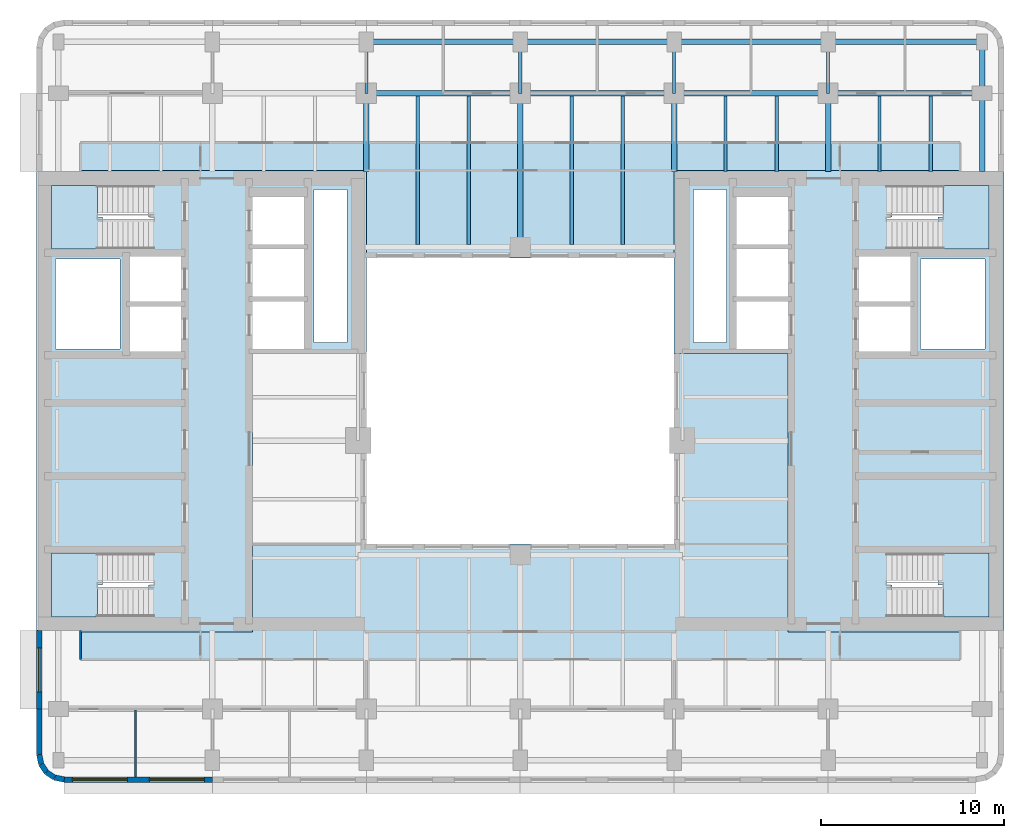
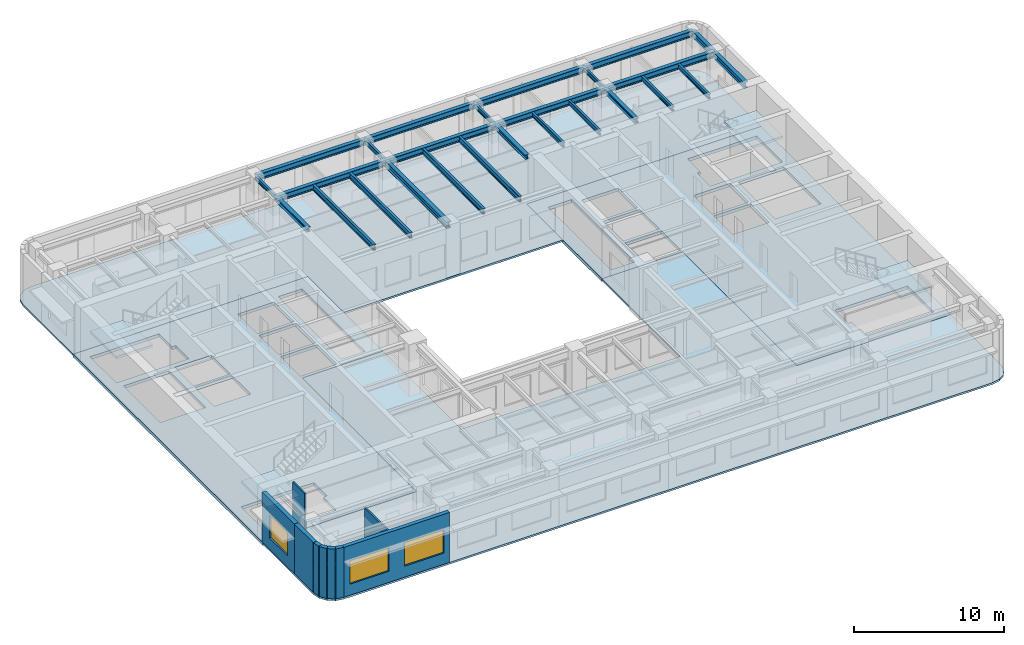
# One storey, part 2 of 11: 26 beams, 9 walls, 8 slabs, 3 windows, 3 openings, 4 elements without a shape of their own.
"""IFC4 building model written with IfcOpenShell, lengths in metres."""

from ifc_helpers import new_model, si_unit, direction, frame, frame_2d, origin, origin_2d, place, context, subcontext, project, spatial, polyline, rectangle, i_section, outline, extrude, material, layer, layer_set, material_profile, profile_set, type_object, element, fill, aggregate, save


model = new_model("IFC4")

# Units and contexts
model_context = context("Model", 3, precision=1e-05, world=origin(), true_north=direction((0.0, 1.0)))
body_context = subcontext(model_context, "Body", "Model", "MODEL_VIEW")
ifc_project = project(units=[si_unit("LENGTHUNIT", "METRE"), si_unit("AREAUNIT", "SQUARE_METRE"), si_unit("VOLUMEUNIT", "CUBIC_METRE"), si_unit("PLANEANGLEUNIT", "RADIAN"), si_unit("MASSUNIT", "GRAM", prefix="KILO")], contexts=[model_context])

# Site, building, storey
site_placement = place(None, origin())
site = spatial("IfcSite", under=ifc_project, at=site_placement, CompositionType="ELEMENT")
building_placement = place(site_placement, origin())
building = spatial("IfcBuilding", under=site, at=building_placement, Name="Claustro Exchange Tower", CompositionType="ELEMENT")
storey_placement = place(building_placement, frame((0.0, 0.0, 202.800048828125)))
storey = spatial("IfcBuildingStorey", under=building, at=storey_placement, Name="L46", CompositionType="ELEMENT", Elevation=202.800048828125)

# Beams
ifc_material_1 = material(Name="Steel S355", Category="steel")
ifc_material_profile_1 = material_profile(ifc_material_1, i_section(OverallWidth=0.169921875, OverallDepth=0.360107421875, WebThickness=0.008056640625, FlangeThickness=0.0126953125, FilletRadius=0.01806640625, at=origin_2d()), Name="IPE 360")
ifc_profile_set_1 = profile_set([ifc_material_profile_1], Name="Steel S355")
beam_type_1 = type_object("IfcBeamType", Name="B16 IPE 360 short-span beam", PredefinedType="BEAM", material=ifc_profile_set_1)
for number, where, z_axis, x_axis, name in (
    (1, (16.800048828125, 42.0, 3.869873046875), (0.0, 1.0, 0.0), (-1.0, 0.0, 0.0), "Beam B16 L47"),
    (2, (25.199951171875, 42.0, 3.869873046875), (0.0, 1.0, 0.0), (-1.0, 0.0, 0.0), "Beam B16 L47"),
    (3, (33.60009765625, 42.0, 3.869873046875), (0.0, 1.0, 0.0), (-1.0, 0.0, 0.0), "Beam B16 L47"),
    (4, (42.0, 42.0, 3.869873046875), (0.0, 1.0, 0.0), (-1.0, 0.0, 0.0), "Beam B16 L47"),
):
    element("IfcBeam", number, at=place(storey_placement, frame(where, z_axis=z_axis, x_axis=x_axis)), inside=storey, type_object=beam_type_1, Name=name, PredefinedType="BEAM", context=body_context, shape_type="SweptSolid", body=[
        extrude(i_section(OverallWidth=0.169921875, OverallDepth=0.360107421875, WebThickness=0.008056640625, FlangeThickness=0.0126953125, FilletRadius=0.01806640625, at=origin_2d()), origin(), (0.0, 0.0, 1.0), 2.800048828125),
    ])
for number, where, z_axis, x_axis, name in (
    (5, (36.39990234375, 37.72509765625, 3.869873046875), (0.0, 1.0, 0.0), (-1.0, 0.0, 0.0), "Beam B16 L47"),
    (6, (39.199951171875, 37.72509765625, 3.869873046875), (0.0, 1.0, 0.0), (-1.0, 0.0, 0.0), "Beam B16 L47"),
    (7, (44.800048828125, 37.72509765625, 3.869873046875), (0.0, 1.0, 0.0), (-1.0, 0.0, 0.0), "Beam B16 L47"),
    (8, (47.60009765625, 37.72509765625, 3.869873046875), (0.0, 1.0, 0.0), (-1.0, 0.0, 0.0), "Beam B16 L47"),
):
    element("IfcBeam", number, at=place(storey_placement, frame(where, z_axis=z_axis, x_axis=x_axis)), inside=storey, type_object=beam_type_1, Name=name, PredefinedType="BEAM", context=body_context, shape_type="SweptSolid", body=[
        extrude(i_section(OverallWidth=0.169921875, OverallDepth=0.360107421875, WebThickness=0.008056640625, FlangeThickness=0.0126953125, FilletRadius=0.01806640625, at=origin_2d()), origin(), (0.0, 0.0, 1.0), 4.125),
    ])
ifc_material_2 = material(Name="Steel S355", Category="steel")
ifc_material_profile_2 = material_profile(ifc_material_2, i_section(OverallWidth=0.300048828125, OverallDepth=0.360107421875, WebThickness=0.012451171875, FlangeThickness=0.0224609375, FilletRadius=0.027099609375, at=origin_2d()), Name="HE 360 B")
ifc_profile_set_2 = profile_set([ifc_material_profile_2], Name="Steel S355")
beam_type_2 = type_object("IfcBeamType", Name="B29 HE 360 B column to core link beam", PredefinedType="BEAM", material=ifc_profile_set_2)
for number, where, z_axis, x_axis, name in (
    (9, (16.800048828125, 37.72509765625, 3.869873046875), (0.0, 1.0, 0.0), (-1.0, 0.0, 0.0), "Beam B29 L47"),
    (10, (33.60009765625, 37.72509765625, 3.869873046875), (0.0, 1.0, 0.0), (-1.0, 0.0, 0.0), "Beam B29 L47"),
    (11, (42.0, 37.72509765625, 3.869873046875), (0.0, 1.0, 0.0), (-1.0, 0.0, 0.0), "Beam B29 L47"),
):
    element("IfcBeam", number, at=place(storey_placement, frame(where, z_axis=z_axis, x_axis=x_axis)), inside=storey, type_object=beam_type_2, Name=name, PredefinedType="BEAM", context=body_context, shape_type="SweptSolid", body=[
        extrude(i_section(OverallWidth=0.300048828125, OverallDepth=0.360107421875, WebThickness=0.012451171875, FlangeThickness=0.0224609375, FilletRadius=0.027099609375, at=origin_2d()), origin(), (0.0, 0.0, 1.0), 4.27490234375),
    ])
ifc_material_3 = material(Name="Steel S355", Category="steel")
ifc_material_profile_3 = material_profile(ifc_material_3, i_section(OverallWidth=0.300048828125, OverallDepth=0.5, WebThickness=0.014404296875, FlangeThickness=0.028076171875, FilletRadius=0.027099609375, at=origin_2d()), Name="HE 500 B")
ifc_profile_set_3 = profile_set([ifc_material_profile_3], Name="Steel S355")
beam_type_3 = type_object("IfcBeamType", Name="B7 HE 500 B floor girder", PredefinedType="BEAM", material=ifc_profile_set_3)
for number, where, z_axis, x_axis, name in (
    (12, (25.199951171875, 33.60009765625, 3.800048828125), (0.0, 1.0, 0.0), (-1.0, 0.0, 0.0), "Beam B7 L47"),
    (13, (16.800048828125, 42.0, 3.800048828125), (1.0, 0.0, 0.0), (0.0, 1.0, 0.0), "Beam B7 L47"),
):
    element("IfcBeam", number, at=place(storey_placement, frame(where, z_axis=z_axis, x_axis=x_axis)), inside=storey, type_object=beam_type_3, Name=name, PredefinedType="BEAM", context=body_context, shape_type="SweptSolid", body=[
        extrude(i_section(OverallWidth=0.300048828125, OverallDepth=0.5, WebThickness=0.014404296875, FlangeThickness=0.028076171875, FilletRadius=0.027099609375, at=origin_2d()), origin(), (0.0, 0.0, 1.0), 8.39990234375),
    ])
beam_1_placement = place(storey_placement, frame((25.199951171875, 42.0, 3.800048828125), z_axis=(1.0, 0.0, 0.0), x_axis=(0.0, 1.0, 0.0)))
element("IfcBeam", 14, at=beam_1_placement, inside=storey, type_object=beam_type_3, Name="Beam B7 L47", PredefinedType="BEAM", context=body_context, shape_type="SweptSolid", body=[
    extrude(i_section(OverallWidth=0.300048828125, OverallDepth=0.5, WebThickness=0.014404296875, FlangeThickness=0.028076171875, FilletRadius=0.027099609375, at=origin_2d()), origin(), (0.0, 0.0, 1.0), 8.400146484375),
])
for number, where, z_axis, x_axis, name in (
    (15, (33.60009765625, 42.0, 3.800048828125), (1.0, 0.0, 0.0), (0.0, 1.0, 0.0), "Beam B7 L47"),
    (16, (42.0, 42.0, 3.800048828125), (1.0, 0.0, 0.0), (0.0, 1.0, 0.0), "Beam B7 L47"),
):
    element("IfcBeam", number, at=place(storey_placement, frame(where, z_axis=z_axis, x_axis=x_axis)), inside=storey, type_object=beam_type_3, Name=name, PredefinedType="BEAM", context=body_context, shape_type="SweptSolid", body=[
        extrude(i_section(OverallWidth=0.300048828125, OverallDepth=0.5, WebThickness=0.014404296875, FlangeThickness=0.028076171875, FilletRadius=0.027099609375, at=origin_2d()), origin(), (0.0, 0.0, 1.0), 8.39990234375),
    ])
ifc_material_4 = material(Name="Steel S355", Category="steel")
ifc_material_profile_4 = material_profile(ifc_material_4, i_section(OverallWidth=0.18994140625, OverallDepth=0.449951171875, WebThickness=0.009521484375, FlangeThickness=0.0146484375, FilletRadius=0.02099609375, at=origin_2d()), Name="IPE 450")
ifc_profile_set_4 = profile_set([ifc_material_profile_4], Name="Steel S355")
beam_type_4 = type_object("IfcBeamType", Name="B8 IPE 450 secondary beam", PredefinedType="BEAM", material=ifc_profile_set_4)
for number, where, z_axis, x_axis, name in (
    (17, (19.60009765625, 33.75, 3.824951171875), (0.0, 1.0, 0.0), (-1.0, 0.0, 0.0), "Beam B8 L47"),
    (18, (22.39990234375, 33.75, 3.824951171875), (0.0, 1.0, 0.0), (-1.0, 0.0, 0.0), "Beam B8 L47"),
    (19, (28.0, 33.75, 3.824951171875), (0.0, 1.0, 0.0), (-1.0, 0.0, 0.0), "Beam B8 L47"),
    (20, (30.800048828125, 33.75, 3.824951171875), (0.0, 1.0, 0.0), (-1.0, 0.0, 0.0), "Beam B8 L47"),
):
    element("IfcBeam", number, at=place(storey_placement, frame(where, z_axis=z_axis, x_axis=x_axis)), inside=storey, type_object=beam_type_4, Name=name, PredefinedType="BEAM", context=body_context, shape_type="SweptSolid", body=[
        extrude(i_section(OverallWidth=0.18994140625, OverallDepth=0.449951171875, WebThickness=0.009521484375, FlangeThickness=0.0146484375, FilletRadius=0.02099609375, at=origin_2d()), origin(), (0.0, 0.0, 1.0), 8.10009765625),
    ])
ifc_material_5 = material(Name="Steel S355", Category="steel")
ifc_material_profile_5 = material_profile(ifc_material_5, i_section(OverallWidth=0.300048828125, OverallDepth=0.489990234375, WebThickness=0.011962890625, FlangeThickness=0.02294921875, FilletRadius=0.027099609375, at=origin_2d()), Name="HE 500 A")
ifc_profile_set_5 = profile_set([ifc_material_profile_5], Name="Steel S355")
beam_type_5 = type_object("IfcBeamType", Name="B9 HE 500 A spandrel edge girder", PredefinedType="SPANDREL", material=ifc_profile_set_5)
beam_2_placement = place(storey_placement, frame((50.39990234375, 37.72509765625, 3.804931640625), z_axis=(0.0, 1.0, 0.0), x_axis=(-1.0, 0.0, 0.0)))
element("IfcBeam", 21, at=beam_2_placement, inside=storey, type_object=beam_type_5, Name="Beam B9 L47", PredefinedType="SPANDREL", context=body_context, shape_type="SweptSolid", body=[
    extrude(i_section(OverallWidth=0.300048828125, OverallDepth=0.489990234375, WebThickness=0.011962890625, FlangeThickness=0.02294921875, FilletRadius=0.027099609375, at=origin_2d()), origin(), (0.0, 0.0, 1.0), 4.27490234375),
])
beam_3_placement = place(storey_placement, frame((50.39990234375, 42.0, 3.804931640625), z_axis=(0.0, 1.0, 0.0), x_axis=(-1.0, 0.0, 0.0)))
element("IfcBeam", 22, at=beam_3_placement, inside=storey, type_object=beam_type_5, Name="Beam B9 L47", PredefinedType="SPANDREL", context=body_context, shape_type="SweptSolid", body=[
    extrude(i_section(OverallWidth=0.300048828125, OverallDepth=0.489990234375, WebThickness=0.011962890625, FlangeThickness=0.02294921875, FilletRadius=0.027099609375, at=origin_2d()), origin(), (0.0, 0.0, 1.0), 2.800048828125),
])
beam_4_placement = place(storey_placement, frame((16.800048828125, 44.800048828125, 3.804931640625), z_axis=(1.0, 0.0, 0.0), x_axis=(0.0, 1.0, 0.0)))
element("IfcBeam", 23, at=beam_4_placement, inside=storey, type_object=beam_type_5, Name="Beam B9 L47", PredefinedType="SPANDREL", context=body_context, shape_type="SweptSolid", body=[
    extrude(i_section(OverallWidth=0.300048828125, OverallDepth=0.489990234375, WebThickness=0.011962890625, FlangeThickness=0.02294921875, FilletRadius=0.027099609375, at=origin_2d()), origin(), (0.0, 0.0, 1.0), 8.39990234375),
])
beam_5_placement = place(storey_placement, frame((25.199951171875, 44.800048828125, 3.804931640625), z_axis=(1.0, 0.0, 0.0), x_axis=(0.0, 1.0, 0.0)))
element("IfcBeam", 24, at=beam_5_placement, inside=storey, type_object=beam_type_5, Name="Beam B9 L47", PredefinedType="SPANDREL", context=body_context, shape_type="SweptSolid", body=[
    extrude(i_section(OverallWidth=0.300048828125, OverallDepth=0.489990234375, WebThickness=0.011962890625, FlangeThickness=0.02294921875, FilletRadius=0.027099609375, at=origin_2d()), origin(), (0.0, 0.0, 1.0), 8.400146484375),
])
for number, where, z_axis, x_axis, name in (
    (25, (33.60009765625, 44.800048828125, 3.804931640625), (1.0, 0.0, 0.0), (0.0, 1.0, 0.0), "Beam B9 L47"),
    (26, (42.0, 44.800048828125, 3.804931640625), (1.0, 0.0, 0.0), (0.0, 1.0, 0.0), "Beam B9 L47"),
):
    element("IfcBeam", number, at=place(storey_placement, frame(where, z_axis=z_axis, x_axis=x_axis)), inside=storey, type_object=beam_type_5, Name=name, PredefinedType="SPANDREL", context=body_context, shape_type="SweptSolid", body=[
        extrude(i_section(OverallWidth=0.300048828125, OverallDepth=0.489990234375, WebThickness=0.011962890625, FlangeThickness=0.02294921875, FilletRadius=0.027099609375, at=origin_2d()), origin(), (0.0, 0.0, 1.0), 8.39990234375),
    ])

# Slabs
ifc_material_6 = material(Name="Concrete HA-50 (C50/60)", Category="concrete")
ifc_layer_1 = layer(ifc_material_6, 0.14990234375)
ifc_layer_set_1 = layer_set([ifc_layer_1], Name="Concrete HA-50 (C50/60)")
slab_type_1 = type_object("IfcSlabType", Name="S2 150 composite floor slab", PredefinedType="FLOOR", material=ifc_layer_set_1)
slab_1_placement = place(storey_placement, frame((0.0, 0.0, -0.150146484375)))
element("IfcSlab", 27, at=slab_1_placement, inside=storey, type_object=slab_type_1, Name="Floor slab S2 S L46", PredefinedType="FLOOR", context=body_context, shape_type="SweptSolid", body=[
    extrude(outline(polyline([(-0.27392578125, 4.51416015625), (0.300048828125, 4.39990234375), (50.10009765625, 4.39990234375), (50.674072265625, 4.51416015625), (51.16064453125, 4.83935546875), (51.48583984375, 5.325927734375), (51.60009765625, 5.89990234375), (51.60009765625, 12.60009765625), (39.800048828125, 12.60009765625), (39.800048828125, 27.800048828125), (33.60009765625, 27.800048828125), (33.60009765625, 17.39990234375), (16.800048828125, 17.39990234375), (16.800048828125, 27.800048828125), (10.60009765625, 27.800048828125), (10.60009765625, 12.60009765625), (-1.199951171875, 12.60009765625), (-1.199951171875, 5.89990234375), (-1.085693359375, 5.325927734375), (-0.7607421875, 4.83935546875), (-0.27392578125, 4.51416015625)])), origin(), (0.0, 0.0, 1.0), 0.150146484375),
])
slab_2_placement = place(storey_placement, frame((0.0, 0.0, -0.150146484375)))
element("IfcSlab", 28, at=slab_2_placement, inside=storey, type_object=slab_type_1, Name="Floor slab S2 N L46", PredefinedType="FLOOR", context=body_context, shape_type="SweptSolid", body=[
    extrude(outline(polyline([(16.800048828125, 37.800048828125), (16.800048828125, 33.0), (33.60009765625, 33.0), (33.60009765625, 37.800048828125), (51.60009765625, 37.800048828125), (51.60009765625, 44.5), (51.48583984375, 45.073974609375), (51.16064453125, 45.560791015625), (50.674072265625, 45.8857421875), (50.10009765625, 46.0), (0.300048828125, 46.0), (-0.27392578125, 45.8857421875), (-0.7607421875, 45.560791015625), (-1.085693359375, 45.073974609375), (-1.199951171875, 44.5), (-1.199951171875, 37.800048828125), (16.800048828125, 37.800048828125)])), origin(), (0.0, 0.0, 1.0), 0.150146484375),
])
ifc_material_7 = material(Name="Concrete HA-50 (C50/60)", Category="concrete")
ifc_layer_2 = layer(ifc_material_7, 0.25)
ifc_layer_set_2 = layer_set([ifc_layer_2], Name="Concrete HA-50 (C50/60)")
slab_type_2 = type_object("IfcSlabType", Name="S7 250 core floor slab", PredefinedType="FLOOR", material=ifc_layer_set_2)
slab_3_placement = place(storey_placement, frame((0.0, 0.0, -0.25)))
element("IfcSlab", 29, at=slab_3_placement, inside=storey, type_object=slab_type_2, Name="Core floor slab S7 W core L46", PredefinedType="FLOOR", context=body_context, shape_type="SweptSolid", body=[
    extrude(outline(polyline([(-1.199951171875, 37.800048828125), (-1.199951171875, 12.60009765625), (10.60009765625, 12.60009765625), (10.60009765625, 27.800048828125), (16.800048828125, 27.800048828125), (16.800048828125, 37.800048828125), (-1.199951171875, 37.800048828125)]), holes=[polyline([(13.949951171875, 36.75), (15.75, 36.75), (15.75, 28.39990234375), (13.949951171875, 28.39990234375), (13.949951171875, 36.75)]), polyline([(10.60009765625, 30.64990234375), (13.39990234375, 30.64990234375), (13.39990234375, 28.050048828125), (10.60009765625, 28.050048828125), (10.60009765625, 30.64990234375)]), polyline([(10.60009765625, 33.5), (13.39990234375, 33.5), (13.39990234375, 30.89990234375), (10.60009765625, 30.89990234375), (10.60009765625, 33.5)]), polyline([(13.39990234375, 36.35009765625), (13.39990234375, 33.75), (10.60009765625, 33.75), (10.60009765625, 36.35009765625), (13.39990234375, 36.35009765625)]), polyline([(3.89990234375, 30.375), (6.699951171875, 30.375), (6.699951171875, 27.89990234375), (3.89990234375, 27.89990234375), (3.89990234375, 30.375)]), polyline([(3.89990234375, 33.10009765625), (6.699951171875, 33.10009765625), (6.699951171875, 30.625), (3.89990234375, 30.625), (3.89990234375, 33.10009765625)]), polyline([(-0.375, 15.16259765625), (-0.375, 16.89990234375), (5.195068359375, 16.89990234375), (5.195068359375, 15.16259765625), (4.919921875, 15.16259765625), (4.919921875, 13.425048828125), (-0.375, 13.425048828125), (-0.375, 15.16259765625)]), polyline([(-0.375, 35.237548828125), (-0.375, 36.97509765625), (4.919921875, 36.97509765625), (4.919921875, 35.237548828125), (5.195068359375, 35.237548828125), (5.195068359375, 33.5), (-0.375, 33.5), (-0.375, 35.237548828125)]), polyline([(-0.14990234375, 32.949951171875), (3.35009765625, 32.949951171875), (3.35009765625, 28.050048828125), (-0.14990234375, 28.050048828125), (-0.14990234375, 32.949951171875)])]), origin(), (0.0, 0.0, 1.0), 0.25),
])
slab_4_placement = place(storey_placement, frame((0.0, 0.0, -0.25)))
element("IfcSlab", 30, at=slab_4_placement, inside=storey, type_object=slab_type_2, Name="Core floor slab S7 E core L46", PredefinedType="FLOOR", context=body_context, shape_type="SweptSolid", body=[
    extrude(outline(polyline([(51.60009765625, 37.800048828125), (33.60009765625, 37.800048828125), (33.60009765625, 27.800048828125), (39.800048828125, 27.800048828125), (39.800048828125, 12.60009765625), (51.60009765625, 12.60009765625), (51.60009765625, 37.800048828125)]), holes=[polyline([(45.47998046875, 15.16259765625), (45.205078125, 15.16259765625), (45.205078125, 16.89990234375), (50.77490234375, 16.89990234375), (50.77490234375, 15.16259765625), (50.77490234375, 13.425048828125), (45.47998046875, 13.425048828125), (45.47998046875, 15.16259765625)]), polyline([(45.47998046875, 35.237548828125), (45.47998046875, 36.97509765625), (50.77490234375, 36.97509765625), (50.77490234375, 35.237548828125), (50.77490234375, 33.5), (45.205078125, 33.5), (45.205078125, 35.237548828125), (45.47998046875, 35.237548828125)]), polyline([(47.050048828125, 32.949951171875), (50.550048828125, 32.949951171875), (50.550048828125, 28.050048828125), (47.050048828125, 28.050048828125), (47.050048828125, 32.949951171875)]), polyline([(43.699951171875, 30.375), (46.5, 30.375), (46.5, 27.89990234375), (43.699951171875, 27.89990234375), (43.699951171875, 30.375)]), polyline([(43.699951171875, 33.10009765625), (46.5, 33.10009765625), (46.5, 30.625), (43.699951171875, 30.625), (43.699951171875, 33.10009765625)]), polyline([(37.0, 30.64990234375), (39.800048828125, 30.64990234375), (39.800048828125, 28.050048828125), (37.0, 28.050048828125), (37.0, 30.64990234375)]), polyline([(37.0, 33.5), (39.800048828125, 33.5), (39.800048828125, 30.89990234375), (37.0, 30.89990234375), (37.0, 33.5)]), polyline([(39.800048828125, 36.35009765625), (39.800048828125, 33.75), (37.0, 33.75), (37.0, 36.35009765625), (39.800048828125, 36.35009765625)]), polyline([(34.64990234375, 36.75), (36.449951171875, 36.75), (36.449951171875, 28.39990234375), (34.64990234375, 28.39990234375), (34.64990234375, 36.75)])]), origin(), (0.0, 0.0, 1.0), 0.25),
])

# Stair, slab
ifc_material_8 = material(Name="Concrete HA-30 (C30/37), precast", Category="concrete")
stair_type = type_object("IfcStairType", Name="ST1 half-turn stair, 24 risers of 175", PredefinedType="HALF_TURN_STAIR", material=ifc_material_8)
stair_1_placement = place(storey_placement, origin())
stair_1 = element("IfcStair", 31, at=stair_1_placement, inside=storey, type_object=stair_type, Name="Stair STWA L46", PredefinedType="HALF_TURN_STAIR")
ifc_material_9 = material(Name="Concrete HA-30 (C30/37), precast", Category="concrete")
ifc_layer_3 = layer(ifc_material_9, 0.199951171875)
ifc_layer_set_3 = layer_set([ifc_layer_3], Name="Concrete HA-30 (C30/37), precast")
slab_type_3 = type_object("IfcSlabType", Name="S9 200 stair landing", PredefinedType="LANDING", material=ifc_layer_set_3)
slab_5_placement = place(storey_placement, frame((0.0, 0.0, 1.89990234375)))
slab_5 = element("IfcSlab", 32, at=slab_5_placement, type_object=slab_type_3, Name="STWA landing 1", PredefinedType="LANDING", context=body_context, shape_type="SweptSolid", body=[
    extrude(outline(polyline([(2.125, 13.425048828125), (-0.375, 13.425048828125), (-0.375, 16.89990234375), (2.1201171875, 16.89990234375), (2.125, 16.89990234375), (2.39990234375, 16.89990234375), (2.39990234375, 15.16259765625), (2.125, 15.16259765625), (2.125, 13.425048828125)])), origin(), (0.0, 0.0, 1.0), 0.199951171875),
])
aggregate(stair_1, [slab_5])

stair_2_placement = place(storey_placement, origin())
stair_2 = element("IfcStair", 33, at=stair_2_placement, inside=storey, type_object=stair_type, Name="Stair STWB L46", PredefinedType="HALF_TURN_STAIR")
slab_6_placement = place(storey_placement, frame((0.0, 0.0, 1.89990234375)))
slab_6 = element("IfcSlab", 34, at=slab_6_placement, type_object=slab_type_3, Name="STWB landing 1", PredefinedType="LANDING", context=body_context, shape_type="SweptSolid", body=[
    extrude(outline(polyline([(2.39990234375, 35.237548828125), (2.39990234375, 33.5), (2.125, 33.5), (2.1201171875, 33.5), (-0.375, 33.5), (-0.375, 36.97509765625), (2.125, 36.97509765625), (2.125, 35.237548828125), (2.39990234375, 35.237548828125)])), origin(), (0.0, 0.0, 1.0), 0.199951171875),
])
aggregate(stair_2, [slab_6])

stair_3_placement = place(storey_placement, origin())
stair_3 = element("IfcStair", 35, at=stair_3_placement, inside=storey, type_object=stair_type, Name="Stair STEA L46", PredefinedType="HALF_TURN_STAIR")
slab_7_placement = place(storey_placement, frame((0.0, 0.0, 1.89990234375)))
slab_7 = element("IfcSlab", 36, at=slab_7_placement, type_object=slab_type_3, Name="STEA landing 1", PredefinedType="LANDING", context=body_context, shape_type="SweptSolid", body=[
    extrude(outline(polyline([(50.77490234375, 16.89990234375), (50.77490234375, 13.425048828125), (48.27490234375, 13.425048828125), (48.27490234375, 15.16259765625), (48.0, 15.16259765625), (48.0, 16.89990234375), (48.27490234375, 16.89990234375), (48.280029296875, 16.89990234375), (50.77490234375, 16.89990234375)])), origin(), (0.0, 0.0, 1.0), 0.199951171875),
])
aggregate(stair_3, [slab_7])

stair_4_placement = place(storey_placement, origin())
stair_4 = element("IfcStair", 37, at=stair_4_placement, inside=storey, type_object=stair_type, Name="Stair STEB L46", PredefinedType="HALF_TURN_STAIR")
slab_8_placement = place(storey_placement, frame((0.0, 0.0, 1.89990234375)))
slab_8 = element("IfcSlab", 38, at=slab_8_placement, type_object=slab_type_3, Name="STEB landing 1", PredefinedType="LANDING", context=body_context, shape_type="SweptSolid", body=[
    extrude(outline(polyline([(48.0, 33.5), (48.0, 35.237548828125), (48.27490234375, 35.237548828125), (48.27490234375, 36.97509765625), (50.77490234375, 36.97509765625), (50.77490234375, 33.5), (48.280029296875, 33.5), (48.27490234375, 33.5), (48.0, 33.5)])), origin(), (0.0, 0.0, 1.0), 0.199951171875),
])
aggregate(stair_4, [slab_8])

# Walls
ifc_material_10 = material(Name="Laminated glass in aluminium frame", Category="aluminium")
ifc_layer_4 = layer(ifc_material_10, 0.1201171875)
ifc_layer_set_4 = layer_set([ifc_layer_4], Name="Laminated glass in aluminium frame")
wall_type_1 = type_object("IfcWallType", Name="P2 120 glazed partition", PredefinedType="PARTITIONING", material=ifc_layer_set_4)
wall_1_placement = place(storey_placement, frame((4.199951171875, 4.699951171875, 0.0), z_axis=(0.0, 0.0, 1.0), x_axis=(0.0, 1.0, 0.0)))
element("IfcWall", 39, at=wall_1_placement, inside=storey, type_object=wall_type_1, Name="Partition P2 L46", PredefinedType="PARTITIONING", context=body_context, shape_type="SweptSolid", body=[
    extrude(rectangle(XDim=3.64208984375, YDim=0.1201171875, at=frame_2d((1.821044921875, 0.0))), origin(), (0.0, 0.0, 1.0), 3.550048828125),
])
wall_2_placement = place(storey_placement, frame((1.199951171875, 11.10009765625, 0.0), z_axis=(0.0, 0.0, 1.0), x_axis=(0.0, 1.0, 0.0)))
element("IfcWall", 40, at=wall_2_placement, inside=storey, type_object=wall_type_1, Name="Partition P2 L46", PredefinedType="PARTITIONING", context=body_context, shape_type="SweptSolid", body=[
    extrude(rectangle(XDim=1.575927734375, YDim=0.1201171875, at=frame_2d((0.7880859375, 0.0))), origin(), (0.0, 0.0, 1.0), 4.050048828125),
])

# Wall, openings, windows
ifc_material_11 = material(Name="Concrete HA-40 (C40/50), precast, white cement, acid-etched", Category="concrete")
ifc_layer_5 = layer(ifc_material_11, 0.300048828125)
ifc_layer_set_5 = layer_set([ifc_layer_5], Name="Concrete HA-40 (C40/50), precast, white cement, acid-etched")
wall_type_2 = type_object("IfcWallType", Name="PC1 300 precast concrete pier panel", PredefinedType="SOLIDWALL", material=ifc_layer_set_5)
wall_3_placement = place(storey_placement, frame((8.39990234375, 4.550048828125, 0.0), z_axis=(0.0, 0.0, 1.0), x_axis=(-1.0, 0.0, 0.0)))
wall_3 = element("IfcWall", 41, at=wall_3_placement, inside=storey, type_object=wall_type_2, Name="Precast pier panel PC1 L46", PredefinedType="SOLIDWALL", context=body_context, shape_type="SweptSolid", body=[
    extrude(rectangle(XDim=8.085205078125, YDim=0.300048828125, at=frame_2d((4.04248046875, 0.0))), origin(), (0.0, 0.0, 1.0), 4.050048828125),
])
opening_1_placement = place(wall_3_placement, frame((0.442626953125, 0.0, 0.89990234375)))
opening_1 = element("IfcOpeningElement", 42, at=opening_1_placement, cuts=wall_3, Name="Opening W1", PredefinedType="OPENING", context=body_context, shape_type="SweptSolid", body=[
    extrude(rectangle(XDim=3.0, YDim=1.89990234375, at=frame_2d((1.5, 0.949951171875))), frame((0.0, 0.159912109375, 0.0), z_axis=(0.0, -1.0, 0.0), x_axis=(1.0, 0.0, 0.0)), (0.0, 0.0, 1.0), 0.320068359375),
])
opening_2_placement = place(wall_3_placement, frame((4.642578125, 0.0, 0.89990234375)))
opening_2 = element("IfcOpeningElement", 43, at=opening_2_placement, cuts=wall_3, Name="Opening W1", PredefinedType="OPENING", context=body_context, shape_type="SweptSolid", body=[
    extrude(rectangle(XDim=3.0, YDim=1.89990234375, at=frame_2d((1.5, 0.949951171875))), frame((0.0, 0.159912109375, 0.0), z_axis=(0.0, -1.0, 0.0), x_axis=(1.0, 0.0, 0.0)), (0.0, 0.0, 1.0), 0.320068359375),
])
ifc_material_12 = material(Name="Aluminium frame, clear double glazing", Category="aluminium")
window_type_1 = type_object("IfcWindowType", Name="W1 3000 x 1900 window", PartitioningType="SINGLE_PANEL", PredefinedType="WINDOW", material=ifc_material_12)
window_1_placement = place(opening_1_placement, origin())
window_1 = element("IfcWindow", 44, at=window_1_placement, inside=storey, type_object=window_type_1, Name="Window W1 L46", OverallHeight=1.89990234375, OverallWidth=3.0, PartitioningType="SINGLE_PANEL", PredefinedType="WINDOW", context=body_context, shape_type="SweptSolid", body=[
    extrude(rectangle(XDim=3.0, YDim=1.89990234375, at=frame_2d((1.5, 0.949951171875))), frame((0.0, 0.030029296875, 0.0), z_axis=(0.0, -1.0, 0.0), x_axis=(1.0, 0.0, 0.0)), (0.0, 0.0, 1.0), 0.06005859375),
])
fill(opening_1, window_1)
window_2_placement = place(opening_2_placement, origin())
window_2 = element("IfcWindow", 45, at=window_2_placement, inside=storey, type_object=window_type_1, Name="Window W1 L46", OverallHeight=1.89990234375, OverallWidth=3.0, PartitioningType="SINGLE_PANEL", PredefinedType="WINDOW", context=body_context, shape_type="SweptSolid", body=[
    extrude(rectangle(XDim=3.0, YDim=1.89990234375, at=frame_2d((1.5, 0.949951171875))), frame((0.0, 0.030029296875, 0.0), z_axis=(0.0, -1.0, 0.0), x_axis=(1.0, 0.0, 0.0)), (0.0, 0.0, 1.0), 0.06005859375),
])
fill(opening_2, window_2)

# Walls
wall_4_placement = place(storey_placement, frame((0.314697265625, 4.550048828125, 0.0), z_axis=(0.0, 0.0, 1.0), x_axis=(-0.980788534345, 0.195073962632, 0.0)))
element("IfcWall", 46, at=wall_4_placement, inside=storey, type_object=wall_type_2, Name="Precast pier panel PC1 L46", PredefinedType="SOLIDWALL", context=body_context, shape_type="SweptSolid", body=[
    extrude(rectangle(XDim=0.540771484375, YDim=0.300048828125, at=frame_2d((0.2705078125, 0.0))), origin(), (0.0, 0.0, 1.0), 4.050048828125),
])
for number, where, z_axis, x_axis, name in (
    (47, (-0.215576171875, 4.655517578125, 0.0), (0.0, 0.0, 1.0), (-0.831478144188, 0.555557463938, 0.0), "Precast pier panel PC1 L46"),
    (48, (-0.652587890625, 4.947509765625, 0.0), (0.0, 0.0, 1.0), (-0.555557463938, 0.831478144188, 0.0), "Precast pier panel PC1 L46"),
):
    element("IfcWall", number, at=place(storey_placement, frame(where, z_axis=z_axis, x_axis=x_axis)), inside=storey, type_object=wall_type_2, Name=name, PredefinedType="SOLIDWALL", context=body_context, shape_type="SweptSolid", body=[
        extrude(rectangle(XDim=0.525634765625, YDim=0.300048828125, at=frame_2d((0.2626953125, 0.0))), origin(), (0.0, 0.0, 1.0), 4.050048828125),
    ])
wall_5_placement = place(storey_placement, frame((-0.944580078125, 5.384521484375, 0.0), z_axis=(0.0, 0.0, 1.0), x_axis=(-0.195073962632, 0.980788534345, 0.0)))
element("IfcWall", 49, at=wall_5_placement, inside=storey, type_object=wall_type_2, Name="Precast pier panel PC1 L46", PredefinedType="SOLIDWALL", context=body_context, shape_type="SweptSolid", body=[
    extrude(rectangle(XDim=0.540771484375, YDim=0.300048828125, at=frame_2d((0.2705078125, 0.0))), origin(), (0.0, 0.0, 1.0), 4.050048828125),
])
wall_6_placement = place(storey_placement, frame((-1.050048828125, 5.914794921875, 0.0), z_axis=(0.0, 0.0, 1.0), x_axis=(0.0, 1.0, 0.0)))
element("IfcWall", 50, at=wall_6_placement, inside=storey, type_object=wall_type_2, Name="Precast pier panel PC1 L46", PredefinedType="SOLIDWALL", context=body_context, shape_type="SweptSolid", body=[
    extrude(rectangle(XDim=2.485107421875, YDim=0.300048828125, at=frame_2d((1.24267578125, 0.0))), origin(), (0.0, 0.0, 1.0), 4.050048828125),
])

# Wall, opening, window
wall_7_placement = place(storey_placement, frame((-1.050048828125, 8.39990234375, 0.0), z_axis=(0.0, 0.0, 1.0), x_axis=(0.0, 1.0, 0.0)))
wall_7 = element("IfcWall", 51, at=wall_7_placement, inside=storey, type_object=wall_type_2, Name="Precast pier panel PC1 L46", PredefinedType="SOLIDWALL", context=body_context, shape_type="SweptSolid", body=[
    extrude(rectangle(XDim=4.275146484375, YDim=0.300048828125, at=frame_2d((2.1376953125, 0.0))), origin(), (0.0, 0.0, 1.0), 4.050048828125),
])
opening_3_placement = place(wall_7_placement, frame((0.9375, 0.0, 0.89990234375)))
opening_3 = element("IfcOpeningElement", 52, at=opening_3_placement, cuts=wall_7, Name="Opening W2", PredefinedType="OPENING", context=body_context, shape_type="SweptSolid", body=[
    extrude(rectangle(XDim=2.39990234375, YDim=1.89990234375, at=frame_2d((1.199951171875, 0.949951171875))), frame((0.0, 0.159912109375, 0.0), z_axis=(0.0, -1.0, 0.0), x_axis=(1.0, 0.0, 0.0)), (0.0, 0.0, 1.0), 0.320068359375),
])
ifc_material_13 = material(Name="Aluminium frame, clear double glazing", Category="aluminium")
window_type_2 = type_object("IfcWindowType", Name="W2 2400 x 1900 window", PartitioningType="SINGLE_PANEL", PredefinedType="WINDOW", material=ifc_material_13)
window_3_placement = place(opening_3_placement, origin())
window_3 = element("IfcWindow", 53, at=window_3_placement, inside=storey, type_object=window_type_2, Name="Window W2 L46", OverallHeight=1.89990234375, OverallWidth=2.39990234375, PartitioningType="SINGLE_PANEL", PredefinedType="WINDOW", context=body_context, shape_type="SweptSolid", body=[
    extrude(rectangle(XDim=2.39990234375, YDim=1.89990234375, at=frame_2d((1.199951171875, 0.949951171875))), frame((0.0, 0.030029296875, 0.0), z_axis=(0.0, -1.0, 0.0), x_axis=(1.0, 0.0, 0.0)), (0.0, 0.0, 1.0), 0.06005859375),
])
fill(opening_3, window_3)

save(model, "model.ifc")
